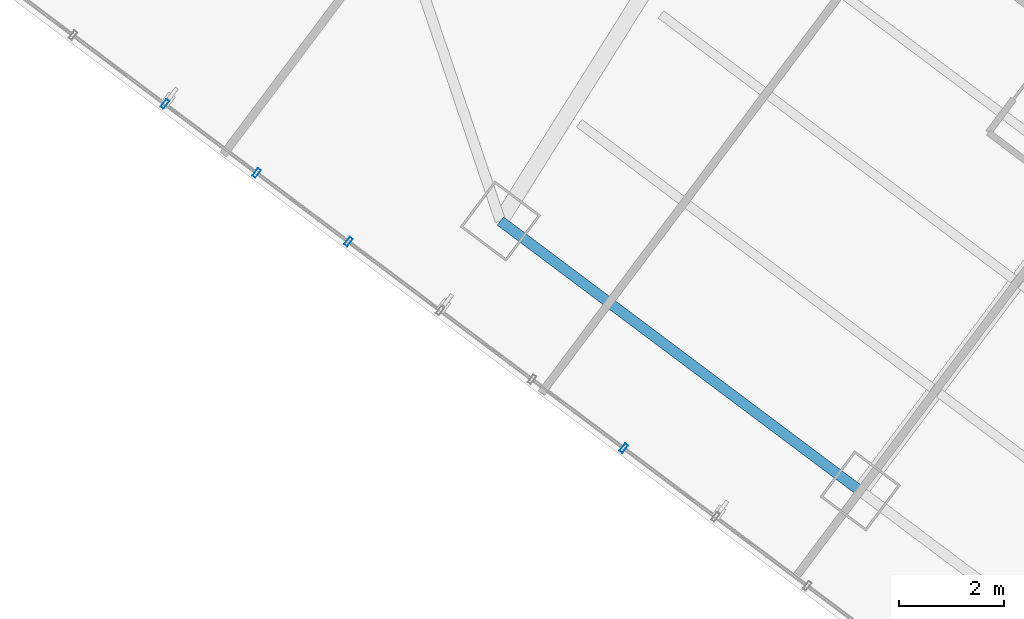
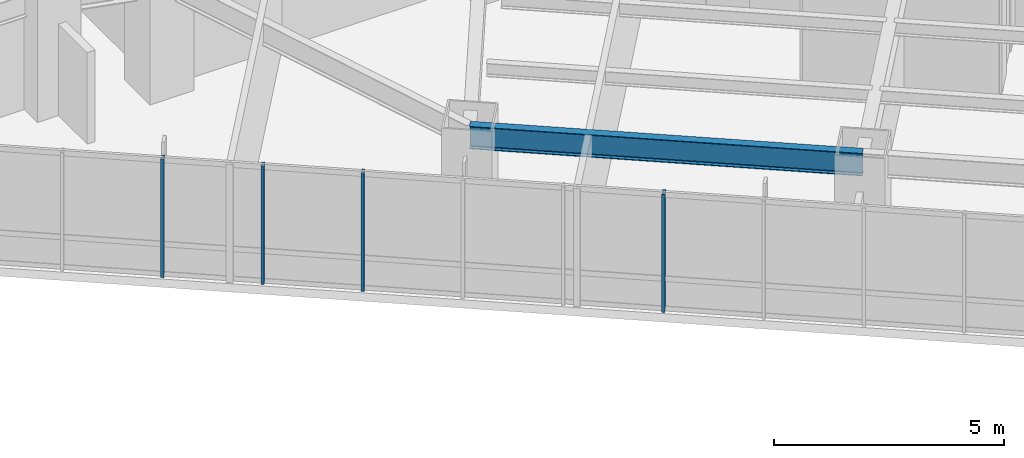
# One storey, part 11 of 38: 4 members, 1 beam, 1 element without a shape of its own.
"""IFC4 building model written with IfcOpenShell, lengths in metres."""

from ifc_helpers import new_model, si_unit, direction, frame, origin, origin_2d, place, context, subcontext, project, spatial, hollow_rectangle, i_section, extrude, material, layer, layer_set, material_profile, profile_set, type_object, element, aggregate, save


model = new_model("IFC4")

# Units and contexts
model_context = context("Model", 3, precision=1e-05, world=origin(), true_north=direction((0.0, 1.0)))
body_context = subcontext(model_context, "Body", "Model", "MODEL_VIEW")
ifc_project = project(units=[si_unit("LENGTHUNIT", "METRE"), si_unit("AREAUNIT", "SQUARE_METRE"), si_unit("VOLUMEUNIT", "CUBIC_METRE"), si_unit("PLANEANGLEUNIT", "RADIAN"), si_unit("MASSUNIT", "GRAM", prefix="KILO")], contexts=[model_context])

# Site, building, storey
site_placement = place(None, origin())
site = spatial("IfcSite", under=ifc_project, at=site_placement, CompositionType="ELEMENT")
building_placement = place(site_placement, origin())
building = spatial("IfcBuilding", under=site, at=building_placement, Name="Hatsunagi Terrace Concourse", CompositionType="ELEMENT")
storey_placement = place(building_placement, frame((0.0, 0.0, 63.39990234375)))
storey = spatial("IfcBuildingStorey", under=building, at=storey_placement, Name="L16", CompositionType="ELEMENT", Elevation=63.39990234375)

# Curtain wall, members
ifc_material_1 = material(Name="Anodised Aluminium Alloy 6063-T5", Category="aluminium")
ifc_layer = layer(ifc_material_1, 0.199951171875)
ifc_layer_set = layer_set([ifc_layer], Name="HotelFacade_CW02")
curtain_wall_type = type_object("IfcCurtainWallType", Name="HotelFacade_CW02", PredefinedType="NOTDEFINED", material=ifc_layer_set)
curtain_wall_placement = place(storey_placement, origin())
curtain_wall = element("IfcCurtainWall", 1, at=curtain_wall_placement, inside=storey, type_object=curtain_wall_type, Name="Unitised Curtain Wall CW-02 CW-L16-05", PredefinedType="NOTDEFINED")
ifc_material_2 = material(Name="Anodised Aluminium Alloy 6063-T5", Category="aluminium")
ifc_material_profile_1 = material_profile(ifc_material_2, hollow_rectangle(XDim=0.070068359375, YDim=0.179931640625, WallThickness=0.00390625, at=origin_2d()), Name="ALU-MUL-180x70x4")
ifc_profile_set_1 = profile_set([ifc_material_profile_1], Name="Anodised Aluminium Alloy 6063-T5")
member_type = type_object("IfcMemberType", Name="CurtainWallMullion_180x70", PredefinedType="MULLION", material=ifc_profile_set_1)
member_1_placement = place(storey_placement, frame((41.037109375, 11.697998046875, 0.0), z_axis=(0.0, 0.0, 1.0), x_axis=(-0.800003116929, 0.599995844072, 0.0)))
member_1 = element("IfcMember", 2, at=member_1_placement, type_object=member_type, Name="Curtain Wall Mullion MUL-02", PredefinedType="MULLION", context=body_context, shape_type="SweptSolid", body=[
    extrude(hollow_rectangle(XDim=0.070068359375, YDim=0.179931640625, WallThickness=0.00390625, at=origin_2d()), origin(), (0.0, 0.0, 1.0), 3.130126953125),
])
member_2_placement = place(storey_placement, frame((35.77392578125, 15.64501953125, 0.0), z_axis=(0.0, 0.0, 1.0), x_axis=(-0.800003116929, 0.599995844072, 0.0)))
member_2 = element("IfcMember", 3, at=member_2_placement, type_object=member_type, Name="Curtain Wall Mullion MUL-02", PredefinedType="MULLION", context=body_context, shape_type="SweptSolid", body=[
    extrude(hollow_rectangle(XDim=0.070068359375, YDim=0.179931640625, WallThickness=0.00390625, at=origin_2d()), origin(), (0.0, 0.0, 1.0), 3.130126953125),
])
member_3_placement = place(storey_placement, frame((34.01904296875, 16.9609375, 0.0), z_axis=(0.0, 0.0, 1.0), x_axis=(-0.800003116929, 0.599995844072, 0.0)))
member_3 = element("IfcMember", 4, at=member_3_placement, type_object=member_type, Name="Curtain Wall Mullion MUL-02", PredefinedType="MULLION", context=body_context, shape_type="SweptSolid", body=[
    extrude(hollow_rectangle(XDim=0.070068359375, YDim=0.179931640625, WallThickness=0.00390625, at=origin_2d()), origin(), (0.0, 0.0, 1.0), 3.130126953125),
])
member_4_placement = place(storey_placement, frame((32.264892578125, 18.277099609375, 0.0), z_axis=(0.0, 0.0, 1.0), x_axis=(-0.800003116929, 0.599995844072, 0.0)))
member_4 = element("IfcMember", 5, at=member_4_placement, type_object=member_type, Name="Curtain Wall Mullion MUL-02", PredefinedType="MULLION", context=body_context, shape_type="SweptSolid", body=[
    extrude(hollow_rectangle(XDim=0.070068359375, YDim=0.179931640625, WallThickness=0.00390625, at=origin_2d()), origin(), (0.0, 0.0, 1.0), 3.130126953125),
])
aggregate(curtain_wall, [member_1, member_2, member_3, member_4])

# Beam
ifc_material_3 = material(Name="Steel SN490B", Category="steel")
ifc_material_profile_2 = material_profile(ifc_material_3, i_section(OverallWidth=0.199951171875, OverallDepth=0.60009765625, WebThickness=0.010986328125, FlangeThickness=0.01708984375, FilletRadius=0.01806640625, at=origin_2d()), Name="H-600x200x11x17")
ifc_profile_set_2 = profile_set([ifc_material_profile_2], Name="Steel SN490B")
beam_type = type_object("IfcBeamType", Name="PerimeterSpandrel_H_600x200", PredefinedType="SPANDREL", material=ifc_profile_set_2)
beam_placement = place(storey_placement, frame((38.679931640625, 16.0400390625, 2.830078125), z_axis=(0.799996593451, -0.600004542038, 0.0), x_axis=(0.600004542038, 0.799996593451, 0.0)))
element("IfcBeam", 6, at=beam_placement, inside=storey, type_object=beam_type, Name="Beam SP-01 BM-L16-SE-SW2", PredefinedType="SPANDREL", context=body_context, shape_type="SweptSolid", body=[
    extrude(i_section(OverallWidth=0.199951171875, OverallDepth=0.60009765625, WebThickness=0.010986328125, FlangeThickness=0.01708984375, FilletRadius=0.01806640625, at=origin_2d()), origin(), (0.0, 0.0, 1.0), 8.60009765625),
])

save(model, "model.ifc")
